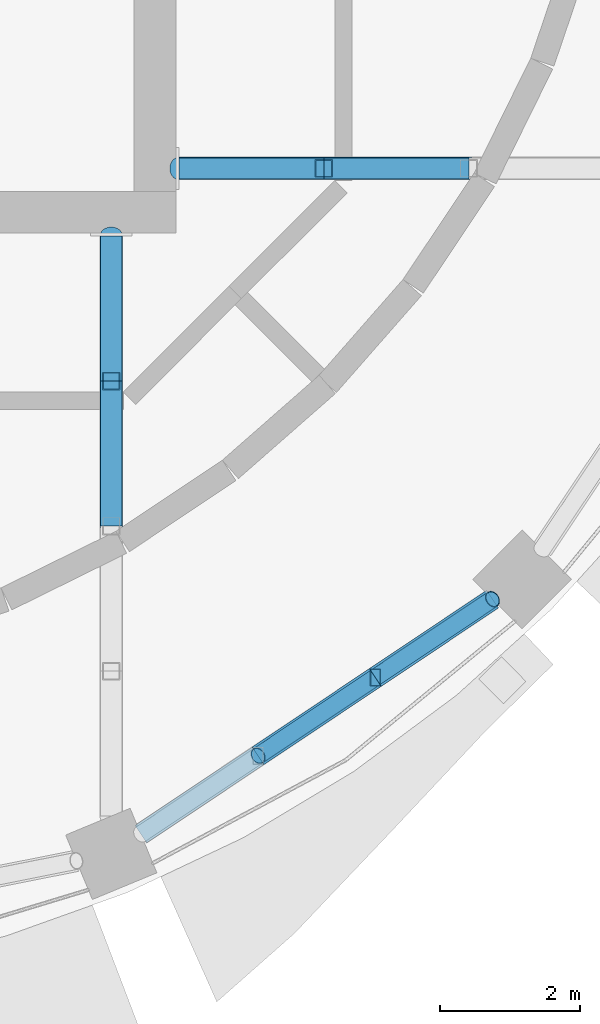
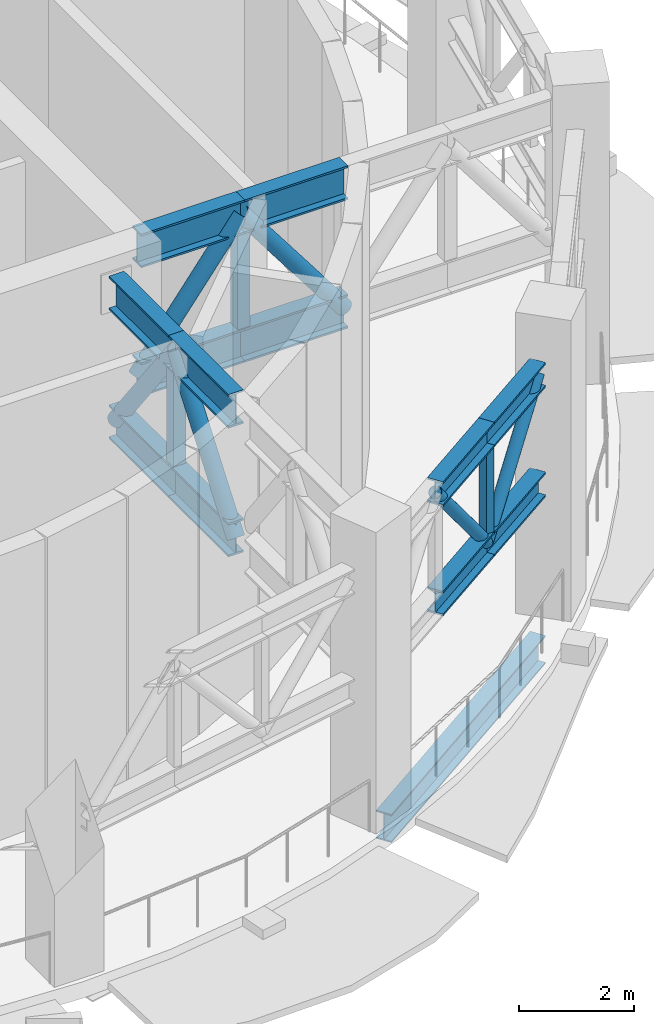
# One storey, part 3 of 14: 21 members, 1 beam.
"""IFC4 building model written with IfcOpenShell, lengths in metres."""

from ifc_helpers import new_model, si_unit, direction, frame, origin, origin_2d, place, context, subcontext, project, spatial, hollow_rectangle, hollow_circle, i_section, extrude, material, material_profile, profile_set, type_object, element, save


model = new_model("IFC4")

# Units and contexts
model_context = context("Model", 3, precision=1e-05, world=origin(), true_north=direction((0.0, 1.0)))
body_context = subcontext(model_context, "Body", "Model", "MODEL_VIEW")
ifc_project = project(units=[si_unit("LENGTHUNIT", "METRE"), si_unit("AREAUNIT", "SQUARE_METRE"), si_unit("VOLUMEUNIT", "CUBIC_METRE"), si_unit("PLANEANGLEUNIT", "RADIAN"), si_unit("MASSUNIT", "GRAM", prefix="KILO")], contexts=[model_context])

# Site, building, storey
site_placement = place(None, origin())
site = spatial("IfcSite", under=ifc_project, at=site_placement, CompositionType="ELEMENT")
building_placement = place(site_placement, origin())
building = spatial("IfcBuilding", under=site, at=building_placement, Name="Polderwave Tower", CompositionType="ELEMENT")
storey_placement = place(building_placement, frame((0.0, 0.0, 161.14990234375)))
storey = spatial("IfcBuildingStorey", under=building, at=storey_placement, Name="L43", CompositionType="ELEMENT", Elevation=161.14990234375)

# Members
ifc_material_1 = material(Name="Steel S460", Category="steel")
ifc_material_profile_1 = material_profile(ifc_material_1, i_section(OverallWidth=0.305908203125, OverallDepth=0.52392578125, WebThickness=0.02099609375, FlangeThickness=0.0400390625, at=origin_2d()), Name="HE 500 M")
ifc_profile_set_1 = profile_set([ifc_material_profile_1], Name="Steel S460")
member_type_1 = type_object("IfcMemberType", Name="BELT CHORD HE 500 M", PredefinedType="CHORD", material=ifc_profile_set_1)
for number, where, z_axis, x_axis, name in (
    (1, (9.0498046875, -15.362548828125, 5.18798828125), (0.831492237093, 0.555536371135, 0.0), (-0.555536371135, 0.831492237093, 0.0), "ST-BT-L43-13-TC2"),
    (2, (9.0498046875, -15.362548828125, 2.862060546875), (0.831492237093, 0.555536371135, 0.0), (-0.555536371135, 0.831492237093, 0.0), "ST-BT-L43-13-BC2"),
    (3, (10.72998046875, -14.239990234375, 5.18798828125), (0.83143642636, 0.555619896081, 0.0), (-0.555619896081, 0.83143642636, 0.0), "ST-BT-L43-13-TC3"),
    (4, (10.72998046875, -14.239990234375, 2.862060546875), (0.83143642636, 0.555619896081, 0.0), (-0.555619896081, 0.83143642636, 0.0), "ST-BT-L43-13-BC3"),
):
    element("IfcMember", number, at=place(storey_placement, frame(where, z_axis=z_axis, x_axis=x_axis)), inside=storey, type_object=member_type_1, Name=name, PredefinedType="CHORD", context=body_context, shape_type="SweptSolid", body=[
        extrude(i_section(OverallWidth=0.305908203125, OverallDepth=0.52392578125, WebThickness=0.02099609375, FlangeThickness=0.0400390625, at=origin_2d()), origin(), (0.0, 0.0, 1.0), 2.020751953125),
    ])
ifc_material_profile_2 = material_profile(ifc_material_1, hollow_circle(Radius=0.122314453125, WallThickness=0.010009765625, at=origin_2d()), Name="CHS 244.5x10")
ifc_profile_set_2 = profile_set([ifc_material_profile_2], Name="Steel S460")
member_type_2 = type_object("IfcMemberType", Name="BELT DIAGONAL CHS 244.5x10", PredefinedType="BRACE", material=ifc_profile_set_2)
for number, where, z_axis, x_axis, name in (
    (5, (9.0498046875, -15.362548828125, 5.18798828125), (0.545319989991, 0.364339045914, -0.754906065772), (-0.555536371135, 0.831492237093, 0.0), "ST-BT-L43-13-D2"),
    (6, (10.72998046875, -14.239990234375, 2.862060546875), (0.545304245729, 0.364407763166, 0.754884270424), (-0.555619896081, 0.83143642636, 0.0), "ST-BT-L43-13-D3"),
):
    element("IfcMember", number, at=place(storey_placement, frame(where, z_axis=z_axis, x_axis=x_axis)), inside=storey, type_object=member_type_2, Name=name, PredefinedType="BRACE", context=body_context, shape_type="SweptSolid", body=[
        extrude(hollow_circle(Radius=0.122314453125, WallThickness=0.010009765625, at=origin_2d()), origin(), (0.0, 0.0, 1.0), 3.0810546875),
    ])
ifc_material_profile_3 = material_profile(ifc_material_1, hollow_rectangle(XDim=0.14990234375, YDim=0.25, WallThickness=0.010009765625, at=origin_2d()), Name="RHS 250x150x10")
ifc_profile_set_3 = profile_set([ifc_material_profile_3], Name="Steel S460")
member_type_3 = type_object("IfcMemberType", Name="BELT POST RHS 250x150x10", PredefinedType="POST", material=ifc_profile_set_3)
member_placement = place(storey_placement, frame((10.72998046875, -14.239990234375, 3.1240234375), z_axis=(0.0, 0.0, 1.0), x_axis=(1.0, 0.0, 0.0)))
element("IfcMember", 7, at=member_placement, inside=storey, type_object=member_type_3, Name="ST-BT-L43-13-P2", PredefinedType="POST", context=body_context, shape_type="SweptSolid", body=[
    extrude(hollow_rectangle(XDim=0.14990234375, YDim=0.25, WallThickness=0.010009765625, at=origin_2d()), origin(), (0.0, 0.0, 1.0), 1.802001953125),
])
ifc_material_profile_4 = material_profile(ifc_material_1, i_section(OverallWidth=0.303955078125, OverallDepth=0.716064453125, WebThickness=0.02099609375, FlangeThickness=0.0400390625, at=origin_2d()), Name="HE 700 M")
ifc_profile_set_4 = profile_set([ifc_material_profile_4], Name="Steel S460")
member_type_4 = type_object("IfcMemberType", Name="OUTRIGGER CHORD HE 700 M", PredefinedType="CHORD", material=ifc_profile_set_4)
for number, where, z_axis, x_axis, name in (
    (8, (6.94580078125, -7.9140625, 5.692138671875), (0.0, -1.0, 0.0), (1.0, 0.0, 0.0), "ST-OR-L43-13-TC1"),
    (9, (6.94580078125, -7.9140625, 2.9580078125), (0.0, -1.0, 0.0), (1.0, 0.0, 0.0), "ST-OR-L43-13-BC1"),
):
    element("IfcMember", number, at=place(storey_placement, frame(where, z_axis=z_axis, x_axis=x_axis)), inside=storey, type_object=member_type_4, Name=name, PredefinedType="CHORD", context=body_context, shape_type="SweptSolid", body=[
        extrude(i_section(OverallWidth=0.303955078125, OverallDepth=0.716064453125, WebThickness=0.02099609375, FlangeThickness=0.0400390625, at=origin_2d()), origin(), (0.0, 0.0, 1.0), 2.078125),
    ])
for number, where, z_axis, x_axis, name in (
    (10, (6.94580078125, -9.9921875, 5.692138671875), (0.0, -1.0, 0.0), (1.0, 0.0, 0.0), "ST-OR-L43-13-TC2"),
    (11, (6.94580078125, -9.9921875, 2.9580078125), (0.0, -1.0, 0.0), (1.0, 0.0, 0.0), "ST-OR-L43-13-BC2"),
):
    element("IfcMember", number, at=place(storey_placement, frame(where, z_axis=z_axis, x_axis=x_axis)), inside=storey, type_object=member_type_4, Name=name, PredefinedType="CHORD", context=body_context, shape_type="SweptSolid", body=[
        extrude(i_section(OverallWidth=0.303955078125, OverallDepth=0.716064453125, WebThickness=0.02099609375, FlangeThickness=0.0400390625, at=origin_2d()), origin(), (0.0, 0.0, 1.0), 2.078369140625),
    ])
for number, where, z_axis, x_axis, name in (
    (12, (7.9140625, -6.94580078125, 5.692138671875), (1.0, 0.0, 0.0), (0.0, 1.0, 0.0), "ST-OR-L43-15-TC1"),
    (13, (7.9140625, -6.94580078125, 2.9580078125), (1.0, 0.0, 0.0), (0.0, 1.0, 0.0), "ST-OR-L43-15-BC1"),
):
    element("IfcMember", number, at=place(storey_placement, frame(where, z_axis=z_axis, x_axis=x_axis)), inside=storey, type_object=member_type_4, Name=name, PredefinedType="CHORD", context=body_context, shape_type="SweptSolid", body=[
        extrude(i_section(OverallWidth=0.303955078125, OverallDepth=0.716064453125, WebThickness=0.02099609375, FlangeThickness=0.0400390625, at=origin_2d()), origin(), (0.0, 0.0, 1.0), 2.078125),
    ])
for number, where, z_axis, x_axis, name in (
    (14, (9.9921875, -6.94580078125, 5.692138671875), (1.0, 0.0, 0.0), (0.0, 1.0, 0.0), "ST-OR-L43-15-TC2"),
    (15, (9.9921875, -6.94580078125, 2.9580078125), (1.0, 0.0, 0.0), (0.0, 1.0, 0.0), "ST-OR-L43-15-BC2"),
):
    element("IfcMember", number, at=place(storey_placement, frame(where, z_axis=z_axis, x_axis=x_axis)), inside=storey, type_object=member_type_4, Name=name, PredefinedType="CHORD", context=body_context, shape_type="SweptSolid", body=[
        extrude(i_section(OverallWidth=0.303955078125, OverallDepth=0.716064453125, WebThickness=0.02099609375, FlangeThickness=0.0400390625, at=origin_2d()), origin(), (0.0, 0.0, 1.0), 2.078369140625),
    ])
ifc_material_profile_5 = material_profile(ifc_material_1, hollow_circle(Radius=0.161865234375, WallThickness=0.012451171875, at=origin_2d()), Name="CHS 323.9x12.5")
ifc_profile_set_5 = profile_set([ifc_material_profile_5], Name="Steel S460")
member_type_5 = type_object("IfcMemberType", Name="OUTRIGGER DIAGONAL CHS 323.9x12.5", PredefinedType="BRACE", material=ifc_profile_set_5)
for number, where, z_axis, x_axis, name in (
    (16, (6.94580078125, -7.9140625, 2.9580078125), (0.0, -0.605117514153, 0.796136165531), (1.0, 0.0, 0.0), "ST-OR-L43-13-D1"),
    (17, (6.94580078125, -9.9921875, 5.692138671875), (0.0, -0.605162570376, -0.796101917731), (1.0, 0.0, 0.0), "ST-OR-L43-13-D2"),
    (18, (7.9140625, -6.94580078125, 2.9580078125), (0.605117514153, 0.0, 0.796136165531), (0.0, 1.0, 0.0), "ST-OR-L43-15-D1"),
    (19, (9.9921875, -6.94580078125, 5.692138671875), (0.605162570376, 0.0, -0.796101917731), (0.0, 1.0, 0.0), "ST-OR-L43-15-D2"),
):
    element("IfcMember", number, at=place(storey_placement, frame(where, z_axis=z_axis, x_axis=x_axis)), inside=storey, type_object=member_type_5, Name=name, PredefinedType="BRACE", context=body_context, shape_type="SweptSolid", body=[
        extrude(hollow_circle(Radius=0.161865234375, WallThickness=0.012451171875, at=origin_2d()), origin(), (0.0, 0.0, 1.0), 3.434326171875),
    ])
ifc_material_profile_6 = material_profile(ifc_material_1, hollow_rectangle(XDim=0.25, YDim=0.25, WallThickness=0.012451171875, at=origin_2d()), Name="SHS 250x250x12.5")
ifc_profile_set_6 = profile_set([ifc_material_profile_6], Name="Steel S460")
member_type_6 = type_object("IfcMemberType", Name="OUTRIGGER POST SHS 250x250x12.5", PredefinedType="POST", material=ifc_profile_set_6)
for number, where, z_axis, x_axis, name in (
    (20, (6.94580078125, -9.9921875, 3.316162109375), (0.0, 0.0, 1.0), (1.0, 0.0, 0.0), "ST-OR-L43-13-P1"),
    (21, (9.9921875, -6.94580078125, 3.316162109375), (0.0, 0.0, 1.0), (1.0, 0.0, 0.0), "ST-OR-L43-15-P1"),
):
    element("IfcMember", number, at=place(storey_placement, frame(where, z_axis=z_axis, x_axis=x_axis)), inside=storey, type_object=member_type_6, Name=name, PredefinedType="POST", context=body_context, shape_type="SweptSolid", body=[
        extrude(hollow_rectangle(XDim=0.25, YDim=0.25, WallThickness=0.012451171875, at=origin_2d()), origin(), (0.0, 0.0, 1.0), 2.017822265625),
    ])

# Beam
ifc_material_2 = material(Name="Steel S355", Category="steel")
ifc_material_profile_7 = material_profile(ifc_material_2, i_section(OverallWidth=0.300048828125, OverallDepth=0.60009765625, WebThickness=0.015380859375, FlangeThickness=0.030029296875, at=origin_2d()), Name="HE 600 B")
ifc_profile_set_7 = profile_set([ifc_material_profile_7], Name="Steel S355")
beam_type = type_object("IfcBeamType", Name="RING BEAM HE 600 B", PredefinedType="BEAM", material=ifc_profile_set_7)
beam_placement = place(storey_placement, frame((7.36962890625, -16.485107421875, -0.64990234375), z_axis=(0.831473633615, 0.555564214653, 0.0), x_axis=(-0.555564214653, 0.831473633615, 0.0)))
element("IfcBeam", 22, at=beam_placement, inside=storey, type_object=beam_type, Name="ST-RB-L43-13", PredefinedType="BEAM", context=body_context, shape_type="SweptSolid", body=[
    extrude(i_section(OverallWidth=0.300048828125, OverallDepth=0.60009765625, WebThickness=0.015380859375, FlangeThickness=0.030029296875, at=origin_2d()), origin(), (0.0, 0.0, 1.0), 6.062255859375),
])

save(model, "model.ifc")
